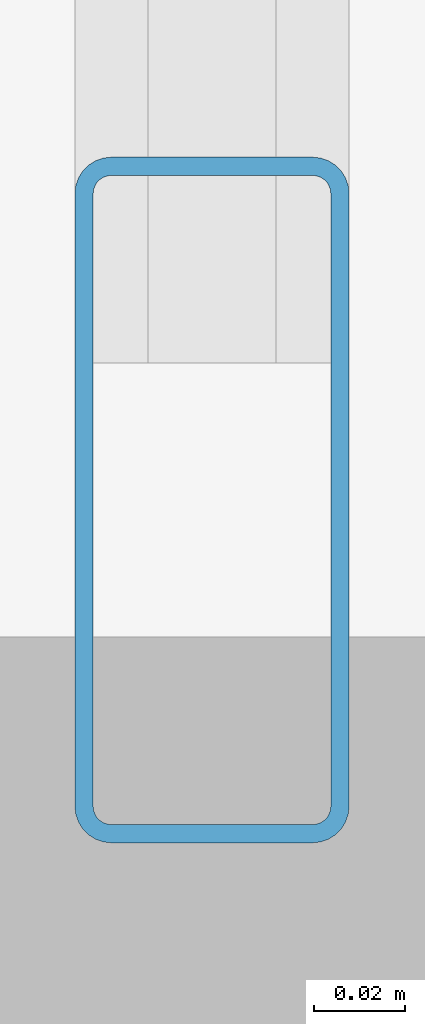
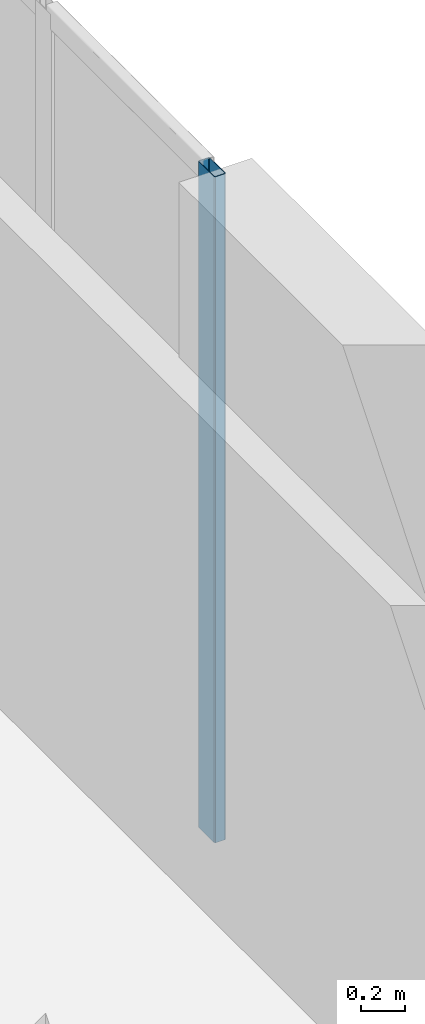
# One storey, part 2 of 11: 1 member, 1 element without a shape of its own.
"""IFC4 building model written with IfcOpenShell, lengths in metres."""

from ifc_helpers import new_model, entity, si_unit, converted_unit, direction, frame, origin_with_axes, origin_2d_with_axis, place, context, subcontext, project, spatial, hollow_rectangle, extrude, material, material_profile, profile_set, type_object, element, aggregate, save


model = new_model("IFC4")

# Units and contexts
model_context = context("Model", 3, precision=1e-05, world=origin_with_axes(), true_north=direction((0.0, 1.0)))
body_context = subcontext(model_context, "Body", "Model", "MODEL_VIEW")
ifc_project = project(units=[si_unit("LENGTHUNIT", "METRE"), si_unit("AREAUNIT", "SQUARE_METRE"), si_unit("VOLUMEUNIT", "CUBIC_METRE"), converted_unit("PLANEANGLEUNIT", "DEGREE", entity("IfcPlaneAngleMeasure", 0.017453292519943295), si_unit("PLANEANGLEUNIT", "RADIAN"), dimensions=[0, 0, 0, 0, 0, 0, 0]), si_unit("MASSUNIT", "GRAM", prefix="KILO"), si_unit("THERMODYNAMICTEMPERATUREUNIT", "KELVIN")], contexts=[model_context])

# Site, building, storey
site_placement = place(None, origin_with_axes())
site = spatial("IfcSite", under=ifc_project, at=site_placement, CompositionType="ELEMENT")
building_placement = place(site_placement, origin_with_axes())
building = spatial("IfcBuilding", under=site, at=building_placement, Name="Varnlund Millrace Tower", CompositionType="ELEMENT")
storey_placement = place(building_placement, frame((0.0, 0.0, 104.7), z_axis=(0.0, 0.0, 1.0), x_axis=(1.0, 0.0, 0.0)))
storey = spatial("IfcBuildingStorey", under=building, at=storey_placement, Name="L25", CompositionType="ELEMENT", Elevation=104.7)

# Curtain wall, member
ifc_material_1 = material(Name="Thermally broken architectural bronze curtain wall", Category="aluminium")
curtain_wall_type = type_object("IfcCurtainWallType", Name="Type-CW-Sys5-SkyLobby2Pool", PredefinedType="NOTDEFINED", material=ifc_material_1)
curtain_wall_placement = place(storey_placement, frame((21.41, 36.15, 0.0), z_axis=(0.0, 0.0, 1.0), x_axis=(1.0, 0.0, 0.0)))
curtain_wall = element("IfcCurtainWall", 1, at=curtain_wall_placement, inside=storey, type_object=curtain_wall_type, Name="Type-CW-Sys5-SkyLobby2Pool", PredefinedType="NOTDEFINED")
ifc_material_2 = material(Name="Architectural bronze aluminium alloy 6063-T6", Category="aluminium")
ifc_material_profile = material_profile(ifc_material_2, hollow_rectangle(XDim=0.06, YDim=0.15, WallThickness=0.004, InnerFilletRadius=0.004, OuterFilletRadius=0.008, at=origin_2d_with_axis()), Name="Architectural bronze aluminium alloy 6063-T6")
ifc_profile_set = profile_set([ifc_material_profile], Name="Architectural bronze aluminium alloy 6063-T6")
member_type = type_object("IfcMemberType", Name="Type-CW-Mullion-60X150", PredefinedType="MULLION", material=ifc_profile_set)
member_placement = place(storey_placement, frame((21.41, 31.68, 0.0), z_axis=(0.0, 0.0, 1.0), x_axis=(1.0, 0.0, 0.0)))
member = element("IfcMember", 2, at=member_placement, type_object=member_type, Name="CW-05 mullion 4", PredefinedType="MULLION", context=body_context, shape_type="SweptSolid", body=[
    extrude(hollow_rectangle(XDim=0.06, YDim=0.15, WallThickness=0.004, InnerFilletRadius=0.004, OuterFilletRadius=0.008, at=origin_2d_with_axis()), origin_with_axes(), (0.0, 0.0, 1.0), 3.66),
])
aggregate(curtain_wall, [member])

save(model, "model.ifc")
